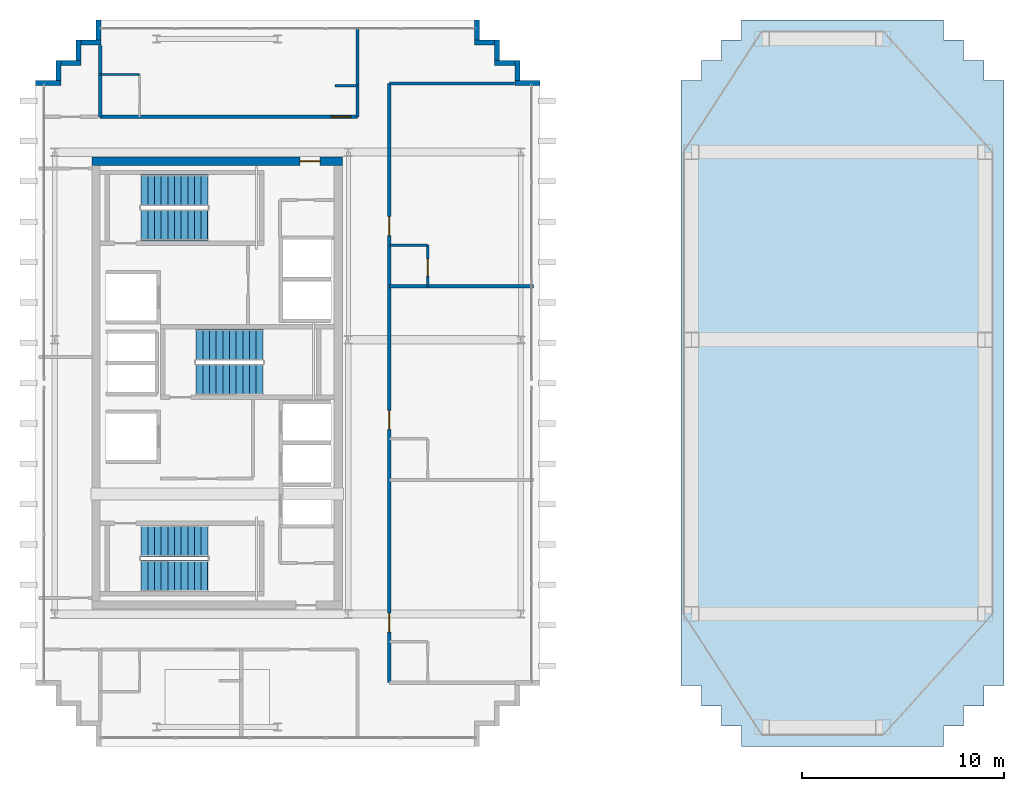
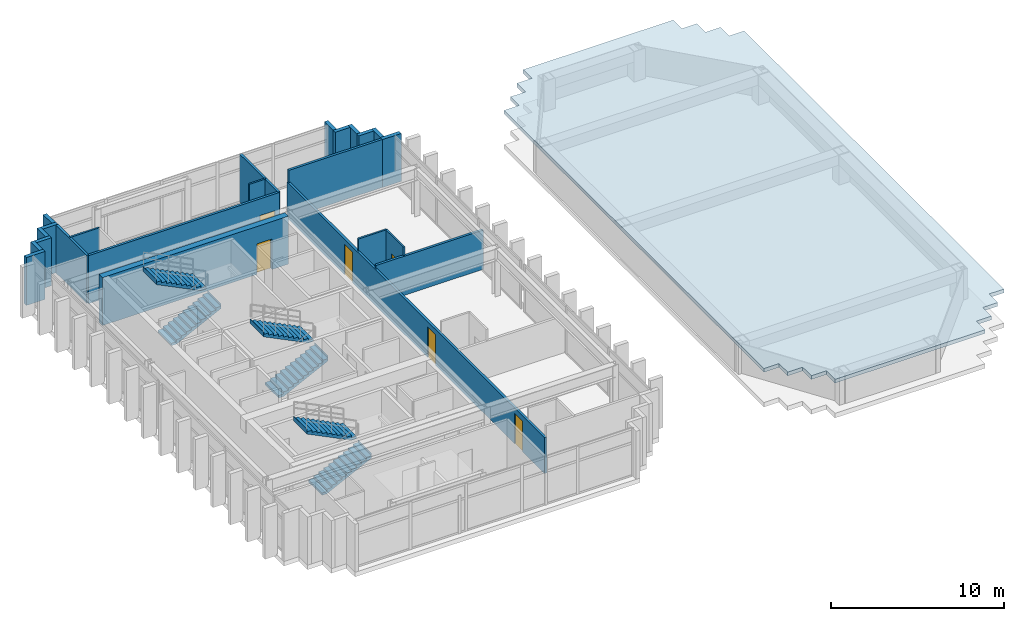
# One storey, part 16 of 17: 23 walls, 6 doors, 6 stair flights, 1 roof, 6 openings, 3 elements without a shape of their own.
"""IFC4 building model written with IfcOpenShell, lengths in metres."""

from ifc_helpers import new_model, si_unit, direction, frame, frame_2d, origin, place, context, subcontext, project, spatial, polyline, rectangle, outline, extrude, source, transform, mapped, material, layer, layer_set, type_object, element, fill, aggregate, save


model = new_model("IFC4")

# Units and contexts
model_context = context("Model", 3, precision=1e-05, world=origin(), true_north=direction((0.0, 1.0)))
body_context = subcontext(model_context, "Body", "Model", "MODEL_VIEW")
ifc_project = project(units=[si_unit("LENGTHUNIT", "METRE"), si_unit("AREAUNIT", "SQUARE_METRE"), si_unit("VOLUMEUNIT", "CUBIC_METRE"), si_unit("PLANEANGLEUNIT", "RADIAN"), si_unit("MASSUNIT", "GRAM", prefix="KILO")], contexts=[model_context])

# Site, building, storey
site_placement = place(None, origin())
site = spatial("IfcSite", under=ifc_project, at=site_placement, CompositionType="ELEMENT")
building_placement = place(site_placement, origin())
building = spatial("IfcBuilding", under=site, at=building_placement, Name="Ocotamira Hotel", CompositionType="ELEMENT")
storey_placement = place(building_placement, frame((0.0, 0.0, 272.39990234375)))
storey = spatial("IfcBuildingStorey", under=building, at=storey_placement, Name="L69", CompositionType="ELEMENT", Elevation=272.39990234375)

# Wall, opening, door
ifc_material_1 = material(Name="Concrete C50/60", Category="concrete")
ifc_layer_1 = layer(ifc_material_1, 0.39990234375)
ifc_layer_set_1 = layer_set([ifc_layer_1], Name="Concrete C50/60")
wall_type_1 = type_object("IfcWallType", Name="WL-CORE-400", PredefinedType="SHEAR", material=ifc_layer_set_1)
wall_1_placement = place(storey_placement, frame((10.800048828125, 37.0, 0.0), z_axis=(0.0, 0.0, 1.0), x_axis=(1.0, 0.0, 0.0)))
wall_1 = element("IfcWall", 1, at=wall_1_placement, inside=storey, type_object=wall_type_1, Name="L69 Shear Core Wall WCORE-N", PredefinedType="SHEAR", context=body_context, shape_type="SweptSolid", body=[
    extrude(rectangle(XDim=12.39990234375, YDim=0.39990234375, at=frame_2d((6.199951171875, 0.0))), origin(), (0.0, 0.0, 1.0), 3.380126953125),
])
opening_1_placement = place(wall_1_placement, frame((10.300048828125, 0.0, 0.0)))
opening_1 = element("IfcOpeningElement", 2, at=opening_1_placement, cuts=wall_1, Name="Opening D-FR2", PredefinedType="OPENING", context=body_context, shape_type="SweptSolid", body=[
    extrude(rectangle(XDim=1.0, YDim=2.14990234375, at=frame_2d((0.5, 1.074951171875))), frame((0.0, 0.2099609375, 0.0), z_axis=(0.0, -1.0, 0.0), x_axis=(1.0, 0.0, 0.0)), (0.0, 0.0, 1.0), 0.419921875),
])
ifc_material_2 = material(Name="Fire-rated acoustic timber-veneer door", Category="wood")
door_type_1 = type_object("IfcDoorType", Name="DR-FIRE-1000", OperationType="NOTDEFINED", PredefinedType="DOOR", material=ifc_material_2)
shared_shape_1 = source(origin(), body_context, "Body", "SweptSolid", [
    extrude(rectangle(XDim=1.0, YDim=2.14990234375, at=frame_2d((0.5, 1.074951171875))), frame((0.0, 0.02490234375, 0.0), z_axis=(0.0, -1.0, 0.0), x_axis=(1.0, 0.0, 0.0)), (0.0, 0.0, 1.0), 0.050048828125),
])
door_1_placement = place(opening_1_placement, origin())
door_1 = element("IfcDoor", 3, at=door_1_placement, inside=storey, type_object=door_type_1, Name="L69 Door ID-L69-WLOB-N-D [ID-L69-WLOB-N-D]", OperationType="SINGLE_SWING_RIGHT", OverallHeight=2.14990234375, OverallWidth=1.0, PredefinedType="DOOR", context=body_context, shape_type="MappedRepresentation", body=[
    mapped(shared_shape_1, transform((0.0, 0.0, 0.0), scale=1.0)),
])
fill(opening_1, door_1)

# Walls
ifc_material_3 = material(Name="Precast concrete C45/55", Category="concrete")
ifc_layer_2 = layer(ifc_material_3, 0.25)
ifc_layer_set_2 = layer_set([ifc_layer_2], Name="Precast concrete C45/55")
wall_type_2 = type_object("IfcWallType", Name="WL-EXT-SER-250", PredefinedType="SOLIDWALL", material=ifc_layer_set_2)
wall_2_placement = place(storey_placement, frame((33.0, 40.875, 0.0), z_axis=(0.0, 0.0, 1.0), x_axis=(-1.0, 0.0, 0.0)))
element("IfcWall", 4, at=wall_2_placement, inside=storey, type_object=wall_type_2, Name="L69 Serrated Corner Wall 07", PredefinedType="SOLIDWALL", context=body_context, shape_type="SweptSolid", body=[
    extrude(rectangle(XDim=1.25, YDim=0.25, at=frame_2d((0.625, 0.0))), origin(), (0.0, 0.0, 1.0), 3.380126953125),
])
for number, where, z_axis, x_axis, name in (
    (5, (31.875, 41.0, 0.0), (0.0, 0.0, 1.0), (0.0, 1.0, 0.0), "L69 Serrated Corner Wall 08"),
    (6, (31.75, 41.875, 0.0), (0.0, 0.0, 1.0), (-1.0, 0.0, 0.0), "L69 Serrated Corner Wall 09"),
    (7, (30.875, 42.0, 0.0), (0.0, 0.0, 1.0), (0.0, 1.0, 0.0), "L69 Serrated Corner Wall 10"),
    (8, (30.75, 42.875, 0.0), (0.0, 0.0, 1.0), (-1.0, 0.0, 0.0), "L69 Serrated Corner Wall 11"),
    (9, (29.875, 43.0, 0.0), (0.0, 0.0, 1.0), (0.0, 1.0, 0.0), "L69 Serrated Corner Wall 12"),
    (10, (11.125, 44.0, 0.0), (0.0, 0.0, 1.0), (0.0, -1.0, 0.0), "L69 Serrated Corner Wall 13"),
    (11, (11.25, 42.875, 0.0), (0.0, 0.0, 1.0), (-1.0, 0.0, 0.0), "L69 Serrated Corner Wall 14"),
    (12, (10.125, 43.0, 0.0), (0.0, 0.0, 1.0), (0.0, -1.0, 0.0), "L69 Serrated Corner Wall 15"),
    (13, (10.25, 41.875, 0.0), (0.0, 0.0, 1.0), (-1.0, 0.0, 0.0), "L69 Serrated Corner Wall 16"),
    (14, (9.125, 42.0, 0.0), (0.0, 0.0, 1.0), (0.0, -1.0, 0.0), "L69 Serrated Corner Wall 17"),
):
    element("IfcWall", number, at=place(storey_placement, frame(where, z_axis=z_axis, x_axis=x_axis)), inside=storey, type_object=wall_type_2, Name=name, PredefinedType="SOLIDWALL", context=body_context, shape_type="SweptSolid", body=[
        extrude(rectangle(XDim=1.0, YDim=0.25, at=frame_2d((0.5, 0.0))), origin(), (0.0, 0.0, 1.0), 3.380126953125),
    ])
wall_3_placement = place(storey_placement, frame((9.25, 40.875, 0.0), z_axis=(0.0, 0.0, 1.0), x_axis=(-1.0, 0.0, 0.0)))
element("IfcWall", 15, at=wall_3_placement, inside=storey, type_object=wall_type_2, Name="L69 Serrated Corner Wall 18", PredefinedType="SOLIDWALL", context=body_context, shape_type="SweptSolid", body=[
    extrude(rectangle(XDim=1.25, YDim=0.25, at=frame_2d((0.625, 0.0))), origin(), (0.0, 0.0, 1.0), 3.380126953125),
])

# Wall, opening, door
ifc_material_4 = material(Name="Acoustic double-layer fire gypsum board partition", Category="gypsum")
ifc_layer_3 = layer(ifc_material_4, 0.159912109375)
ifc_layer_set_3 = layer_set([ifc_layer_3], Name="Acoustic double-layer fire gypsum board partition")
wall_type_3 = type_object("IfcWallType", Name="WL-FIRE-160", PredefinedType="PARTITIONING", material=ifc_layer_set_3)
wall_4_placement = place(storey_placement, frame((11.199951171875, 39.199951171875, 0.0), z_axis=(0.0, 0.0, 1.0), x_axis=(1.0, 0.0, 0.0)))
wall_4 = element("IfcWall", 16, at=wall_4_placement, inside=storey, type_object=wall_type_3, Name="L69 Interior Wall PW-L69-WP0N-CORRW", PredefinedType="PARTITIONING", context=body_context, shape_type="SweptSolid", body=[
    extrude(rectangle(XDim=12.75, YDim=0.159912109375, at=frame_2d((6.375, 0.0))), origin(), (0.0, 0.0, 1.0), 3.380126953125),
])
opening_2_placement = place(wall_4_placement, frame((11.449951171875, 0.0, 0.0)))
opening_2 = element("IfcOpeningElement", 17, at=opening_2_placement, cuts=wall_4, Name="Opening D-GR2", PredefinedType="OPENING", context=body_context, shape_type="SweptSolid", body=[
    extrude(rectangle(XDim=0.97998046875, YDim=2.199951171875, at=frame_2d((0.489990234375, 1.10009765625))), frame((0.0, 0.08984375, 0.0), z_axis=(0.0, -1.0, 0.0), x_axis=(1.0, 0.0, 0.0)), (0.0, 0.0, 1.0), 0.179931640625),
])
ifc_material_5 = material(Name="Solid-core walnut grand-suite entrance fire door", Category="wood")
door_type_2 = type_object("IfcDoorType", Name="DR-GUEST-980", OperationType="NOTDEFINED", PredefinedType="DOOR", material=ifc_material_5)
shared_shape_2 = source(origin(), body_context, "Body", "SweptSolid", [
    extrude(rectangle(XDim=0.97998046875, YDim=2.199951171875, at=frame_2d((0.489990234375, 1.10009765625))), frame((0.0, 0.02490234375, 0.0), z_axis=(0.0, -1.0, 0.0), x_axis=(1.0, 0.0, 0.0)), (0.0, 0.0, 1.0), 0.050048828125),
])
door_2_placement = place(opening_2_placement, origin())
door_2 = element("IfcDoor", 18, at=door_2_placement, inside=storey, type_object=door_type_2, Name="L69 Door ID-L69-WP0N-RMD1 [ID-L69-WP0N-RMD1]", OperationType="SINGLE_SWING_LEFT", OverallHeight=2.199951171875, OverallWidth=0.97998046875, PredefinedType="DOOR", context=body_context, shape_type="MappedRepresentation", body=[
    mapped(shared_shape_2, transform((0.0, 0.0, 0.0), scale=1.0)),
])
fill(opening_2, door_2)

# Wall, openings, doors
wall_5_placement = place(storey_placement, frame((25.530029296875, 11.14990234375, 0.0), z_axis=(0.0, 0.0, 1.0), x_axis=(0.0, 1.0, 0.0)))
wall_5 = element("IfcWall", 19, at=wall_5_placement, inside=storey, type_object=wall_type_3, Name="L69 Interior Wall PW-L69-WP-EASTW-FULL", PredefinedType="PARTITIONING", context=body_context, shape_type="SweptSolid", body=[
    extrude(rectangle(XDim=29.7001953125, YDim=0.159912109375, at=frame_2d((14.85009765625, 0.0))), origin(), (0.0, 0.0, 1.0), 2.524169921875),
])
opening_3_placement = place(wall_5_placement, frame((2.510009765625, 0.0, 0.0)))
opening_3 = element("IfcOpeningElement", 20, at=opening_3_placement, cuts=wall_5, Name="Opening D-GR1", PredefinedType="OPENING", context=body_context, shape_type="SweptSolid", body=[
    extrude(rectangle(XDim=0.93994140625, YDim=2.14990234375, at=frame_2d((0.469970703125, 1.074951171875))), frame((0.0, 0.08984375, 0.0), z_axis=(0.0, -1.0, 0.0), x_axis=(1.0, 0.0, 0.0)), (0.0, 0.0, 1.0), 0.179931640625),
])
opening_4_placement = place(wall_5_placement, frame((12.56005859375, 0.0, 0.0)))
opening_4 = element("IfcOpeningElement", 21, at=opening_4_placement, cuts=wall_5, Name="Opening D-GR1", PredefinedType="OPENING", context=body_context, shape_type="SweptSolid", body=[
    extrude(rectangle(XDim=0.93994140625, YDim=2.14990234375, at=frame_2d((0.469970703125, 1.074951171875))), frame((0.0, 0.08984375, 0.0), z_axis=(0.0, -1.0, 0.0), x_axis=(1.0, 0.0, 0.0)), (0.0, 0.0, 1.0), 0.179931640625),
])
opening_5_placement = place(wall_5_placement, frame((22.159912109375, 0.0, 0.0)))
opening_5 = element("IfcOpeningElement", 22, at=opening_5_placement, cuts=wall_5, Name="Opening D-GR1", PredefinedType="OPENING", context=body_context, shape_type="SweptSolid", body=[
    extrude(rectangle(XDim=0.93994140625, YDim=2.14990234375, at=frame_2d((0.469970703125, 1.074951171875))), frame((0.0, 0.08984375, 0.0), z_axis=(0.0, -1.0, 0.0), x_axis=(1.0, 0.0, 0.0)), (0.0, 0.0, 1.0), 0.179931640625),
])
ifc_material_6 = material(Name="Solid-core walnut suite entrance fire door", Category="wood")
door_type_3 = type_object("IfcDoorType", Name="DR-GUEST-940", OperationType="NOTDEFINED", PredefinedType="DOOR", material=ifc_material_6)
shared_shape_3 = source(origin(), body_context, "Body", "SweptSolid", [
    extrude(rectangle(XDim=0.93994140625, YDim=2.14990234375, at=frame_2d((0.469970703125, 1.074951171875))), frame((0.0, 0.02490234375, 0.0), z_axis=(0.0, -1.0, 0.0), x_axis=(1.0, 0.0, 0.0)), (0.0, 0.0, 1.0), 0.050048828125),
])
door_3_placement = place(opening_3_placement, origin())
door_3 = element("IfcDoor", 23, at=door_3_placement, inside=storey, type_object=door_type_3, Name="L69 Door ID-L69-WP-ERD1 [ID-L69-WP-ERD1]", OperationType="SINGLE_SWING_LEFT", OverallHeight=2.14990234375, OverallWidth=0.93994140625, PredefinedType="DOOR", context=body_context, shape_type="MappedRepresentation", body=[
    mapped(shared_shape_3, transform((0.0, 0.0, 0.0), scale=1.0)),
])
fill(opening_3, door_3)
door_4_placement = place(opening_4_placement, origin())
door_4 = element("IfcDoor", 24, at=door_4_placement, inside=storey, type_object=door_type_3, Name="L69 Door ID-L69-WP-ERD2 [ID-L69-WP-ERD2]", OperationType="SINGLE_SWING_RIGHT", OverallHeight=2.14990234375, OverallWidth=0.93994140625, PredefinedType="DOOR", context=body_context, shape_type="MappedRepresentation", body=[
    mapped(shared_shape_3, transform((0.0, 0.0, 0.0), scale=1.0)),
])
fill(opening_4, door_4)
door_5_placement = place(opening_5_placement, origin())
door_5 = element("IfcDoor", 25, at=door_5_placement, inside=storey, type_object=door_type_3, Name="L69 Door ID-L69-WP-ERD3 [ID-L69-WP-ERD3]", OperationType="SINGLE_SWING_LEFT", OverallHeight=2.14990234375, OverallWidth=0.93994140625, PredefinedType="DOOR", context=body_context, shape_type="MappedRepresentation", body=[
    mapped(shared_shape_3, transform((0.0, 0.0, 0.0), scale=1.0)),
])
fill(opening_5, door_5)

# Walls
ifc_material_7 = material(Name="Moisture-resistant en-suite tile and gypsum partition", Category="gypsum")
ifc_layer_4 = layer(ifc_material_7, 0.1201171875)
ifc_layer_set_4 = layer_set([ifc_layer_4], Name="Moisture-resistant en-suite tile and gypsum partition")
wall_type_4 = type_object("IfcWallType", Name="WL-PART-120", PredefinedType="PARTITIONING", material=ifc_layer_set_4)
wall_6_placement = place(storey_placement, frame((11.199951171875, 41.300048828125, 0.0), z_axis=(0.0, 0.0, 1.0), x_axis=(1.0, 0.0, 0.0)))
element("IfcWall", 26, at=wall_6_placement, inside=storey, type_object=wall_type_4, Name="L69 Interior Wall PW-L69-WP0N-BAN1", PredefinedType="PARTITIONING", context=body_context, shape_type="SweptSolid", body=[
    extrude(rectangle(XDim=1.949951171875, YDim=0.1201171875, at=frame_2d((0.97509765625, 0.0))), origin(), (0.0, 0.0, 1.0), 3.380126953125),
])
wall_7_placement = place(storey_placement, frame((22.85009765625, 40.75, 0.0), z_axis=(0.0, 0.0, 1.0), x_axis=(1.0, 0.0, 0.0)))
element("IfcWall", 27, at=wall_7_placement, inside=storey, type_object=wall_type_4, Name="L69 Interior Wall PW-L69-WP0N-DRN1", PredefinedType="PARTITIONING", context=body_context, shape_type="SweptSolid", body=[
    extrude(rectangle(XDim=1.099853515625, YDim=0.1201171875, at=frame_2d((0.5498046875, 0.0))), origin(), (0.0, 0.0, 1.0), 3.380126953125),
])

# Wall, opening, door
wall_8_placement = place(storey_placement, frame((27.429931640625, 30.800048828125, 0.0), z_axis=(0.0, 0.0, 1.0), x_axis=(0.0, 1.0, 0.0)))
wall_8 = element("IfcWall", 28, at=wall_8_placement, inside=storey, type_object=wall_type_4, Name="L69 Interior Wall PW-L69-WP-EBE3", PredefinedType="PARTITIONING", context=body_context, shape_type="SweptSolid", body=[
    extrude(rectangle(XDim=2.0400390625, YDim=0.1201171875, at=frame_2d((1.02001953125, 0.0))), origin(), (0.0, 0.0, 1.0), 3.380126953125),
])
opening_6_placement = place(wall_8_placement, frame((0.5, 0.0, 0.0)))
opening_6 = element("IfcOpeningElement", 29, at=opening_6_placement, cuts=wall_8, Name="Opening D-BA1", PredefinedType="OPENING", context=body_context, shape_type="SweptSolid", body=[
    extrude(rectangle(XDim=0.860107421875, YDim=2.10009765625, at=frame_2d((0.43017578125, 1.050048828125))), frame((0.0, 0.070068359375, 0.0), z_axis=(0.0, -1.0, 0.0), x_axis=(1.0, 0.0, 0.0)), (0.0, 0.0, 1.0), 0.14013671875),
])
ifc_material_8 = material(Name="Moisture-sealed en-suite timber door", Category="wood")
door_type_4 = type_object("IfcDoorType", Name="DR-BATH-860", OperationType="NOTDEFINED", PredefinedType="DOOR", material=ifc_material_8)
shared_shape_4 = source(origin(), body_context, "Body", "SweptSolid", [
    extrude(rectangle(XDim=0.860107421875, YDim=2.10009765625, at=frame_2d((0.43017578125, 1.050048828125))), frame((0.0, 0.02490234375, 0.0), z_axis=(0.0, -1.0, 0.0), x_axis=(1.0, 0.0, 0.0)), (0.0, 0.0, 1.0), 0.050048828125),
])
door_6_placement = place(opening_6_placement, origin())
door_6 = element("IfcDoor", 30, at=door_6_placement, inside=storey, type_object=door_type_4, Name="L69 Door ID-L69-WP-EBD3 [ID-L69-WP-EBD3]", OperationType="SINGLE_SWING_LEFT", OverallHeight=2.10009765625, OverallWidth=0.860107421875, PredefinedType="DOOR", context=body_context, shape_type="MappedRepresentation", body=[
    mapped(shared_shape_4, transform((0.0, 0.0, 0.0), scale=1.0)),
])
fill(opening_6, door_6)

# Walls
wall_9_placement = place(storey_placement, frame((25.530029296875, 32.840087890625, 0.0), z_axis=(0.0, 0.0, 1.0), x_axis=(1.0, 0.0, 0.0)))
element("IfcWall", 31, at=wall_9_placement, inside=storey, type_object=wall_type_4, Name="L69 Interior Wall PW-L69-WP-EBN3", PredefinedType="PARTITIONING", context=body_context, shape_type="SweptSolid", body=[
    extrude(rectangle(XDim=1.89990234375, YDim=0.1201171875, at=frame_2d((0.949951171875, 0.0))), origin(), (0.0, 0.0, 1.0), 3.380126953125),
])
ifc_material_9 = material(Name="Acoustic double-stud hospitality gypsum partition", Category="gypsum")
ifc_layer_5 = layer(ifc_material_9, 0.159912109375)
ifc_layer_set_5 = layer_set([ifc_layer_5], Name="Acoustic double-stud hospitality gypsum partition")
wall_type_5 = type_object("IfcWallType", Name="WL-PART-160", PredefinedType="PARTITIONING", material=ifc_layer_set_5)
wall_10_placement = place(storey_placement, frame((11.199951171875, 39.199951171875, 0.0), z_axis=(0.0, 0.0, 1.0), x_axis=(0.0, 1.0, 0.0)))
element("IfcWall", 32, at=wall_10_placement, inside=storey, type_object=wall_type_5, Name="L69 Interior Wall PW-L69-WP0N-PW0", PredefinedType="PARTITIONING", context=body_context, shape_type="SweptSolid", body=[
    extrude(rectangle(XDim=3.5400390625, YDim=0.159912109375, at=frame_2d((1.77001953125, 0.0))), origin(), (0.0, 0.0, 1.0), 3.380126953125),
])
wall_11_placement = place(storey_placement, frame((23.949951171875, 39.199951171875, 0.0), z_axis=(0.0, 0.0, 1.0), x_axis=(0.0, 1.0, 0.0)))
element("IfcWall", 33, at=wall_11_placement, inside=storey, type_object=wall_type_5, Name="L69 Interior Wall PW-L69-WP0N-PWEND", PredefinedType="PARTITIONING", context=body_context, shape_type="SweptSolid", body=[
    extrude(rectangle(XDim=4.43994140625, YDim=0.159912109375, at=frame_2d((2.219970703125, 0.0))), origin(), (0.0, 0.0, 1.0), 3.380126953125),
])
wall_12_placement = place(storey_placement, frame((25.530029296875, 40.85009765625, 0.0), z_axis=(0.0, 0.0, 1.0), x_axis=(1.0, 0.0, 0.0)))
element("IfcWall", 34, at=wall_12_placement, inside=storey, type_object=wall_type_5, Name="L69 Interior Wall PW-L69-WP-EDIVN", PredefinedType="PARTITIONING", context=body_context, shape_type="SweptSolid", body=[
    extrude(rectangle(XDim=6.2099609375, YDim=0.159912109375, at=frame_2d((3.10498046875, 0.0))), origin(), (0.0, 0.0, 1.0), 3.380126953125),
])
wall_13_placement = place(storey_placement, frame((25.530029296875, 30.800048828125, 0.0), z_axis=(0.0, 0.0, 1.0), x_axis=(1.0, 0.0, 0.0)))
element("IfcWall", 35, at=wall_13_placement, inside=storey, type_object=wall_type_5, Name="L69 Interior Wall PW-L69-WP-EDIV2", PredefinedType="PARTITIONING", context=body_context, shape_type="SweptSolid", body=[
    extrude(rectangle(XDim=7.14990234375, YDim=0.159912109375, at=frame_2d((3.574951171875, 0.0))), origin(), (0.0, 0.0, 1.0), 2.76318359375),
])

# Stair, stair flights
ifc_material_10 = material(Name="Concrete C40/50", Category="concrete")
stair_type = type_object("IfcStairType", Name="ST-CORE-1560", PredefinedType="HALF_TURN_STAIR", material=ifc_material_10)
stair_1_placement = place(storey_placement, origin())
stair_1 = element("IfcStair", 36, at=stair_1_placement, inside=storey, type_object=stair_type, Name="L69 Exit Stair ST-1", PredefinedType="HALF_TURN_STAIR")
stair_flight_type = type_object("IfcStairFlightType", Name="STF-CORE-1560", PredefinedType="STRAIGHT", material=ifc_material_10)
shared_shape_5 = source(origin(), body_context, "Body", "SweptSolid", [
    extrude(outline(polyline([(-0.00390625, 0.0), (-0.00390625, 0.16357421875), (0.330078125, 0.16357421875), (0.330078125, 0.327392578125), (0.659912109375, 0.327392578125), (0.659912109375, 0.490966796875), (0.989990234375, 0.490966796875), (0.989990234375, 0.654541015625), (1.320068359375, 0.654541015625), (1.320068359375, 0.818115234375), (1.64990234375, 0.818115234375), (1.64990234375, 0.98193359375), (1.97998046875, 0.98193359375), (1.97998046875, 1.1455078125), (2.31005859375, 1.1455078125), (2.31005859375, 1.30908203125), (2.639892578125, 1.30908203125), (2.639892578125, 1.47265625), (2.969970703125, 1.47265625), (2.969970703125, 1.636474609375), (3.300048828125, 1.636474609375), (3.300048828125, 1.800048828125), (3.303955078125, 1.800048828125), (3.303955078125, 1.468994140625), (0.33740234375, 0.0), (-0.00390625, 0.0)])), frame((0.0, 0.780029296875, 0.0), z_axis=(0.0, -1.0, 0.0), x_axis=(1.0, 0.0, 0.0)), (0.0, 0.0, 1.0), 1.56005859375),
])
stair_flight_1_placement = place(storey_placement, frame((13.22998046875, 16.449951171875, 0.0), z_axis=(0.0, 0.0, 1.0), x_axis=(1.0, 0.0, 0.0)))
stair_flight_1 = element("IfcStairFlight", 37, at=stair_flight_1_placement, type_object=stair_flight_type, Name="ST-1 flight 1", NumberOfRisers=11, NumberOfTreads=10, PredefinedType="STRAIGHT", RiserHeight=0.163636364, TreadLength=0.33, context=body_context, shape_type="MappedRepresentation", body=[
    mapped(shared_shape_5, transform((0.0, 0.0, 0.0), scale=1.0)),
])
stair_flight_2_placement = place(storey_placement, frame((16.530029296875, 18.169921875, 1.800048828125), z_axis=(0.0, 0.0, 1.0), x_axis=(-1.0, 0.0, 0.0)))
stair_flight_2 = element("IfcStairFlight", 38, at=stair_flight_2_placement, type_object=stair_flight_type, Name="ST-1 flight 2", NumberOfRisers=11, NumberOfTreads=10, PredefinedType="STRAIGHT", RiserHeight=0.163636364, TreadLength=0.33, context=body_context, shape_type="MappedRepresentation", body=[
    mapped(shared_shape_5, transform((0.0, 0.0, 0.0), scale=1.0)),
])
aggregate(stair_1, [stair_flight_1, stair_flight_2])

stair_2_placement = place(storey_placement, origin())
stair_2 = element("IfcStair", 39, at=stair_2_placement, inside=storey, type_object=stair_type, Name="L69 Exit Stair ST-2", PredefinedType="HALF_TURN_STAIR")
stair_flight_3_placement = place(storey_placement, frame((13.22998046875, 33.830078125, 0.0), z_axis=(0.0, 0.0, 1.0), x_axis=(1.0, 0.0, 0.0)))
stair_flight_3 = element("IfcStairFlight", 40, at=stair_flight_3_placement, type_object=stair_flight_type, Name="ST-2 flight 1", NumberOfRisers=11, NumberOfTreads=10, PredefinedType="STRAIGHT", RiserHeight=0.163636364, TreadLength=0.33, context=body_context, shape_type="MappedRepresentation", body=[
    mapped(shared_shape_5, transform((0.0, 0.0, 0.0), scale=1.0)),
])
stair_flight_4_placement = place(storey_placement, frame((16.530029296875, 35.550048828125, 1.800048828125), z_axis=(0.0, 0.0, 1.0), x_axis=(-1.0, 0.0, 0.0)))
stair_flight_4 = element("IfcStairFlight", 41, at=stair_flight_4_placement, type_object=stair_flight_type, Name="ST-2 flight 2", NumberOfRisers=11, NumberOfTreads=10, PredefinedType="STRAIGHT", RiserHeight=0.163636364, TreadLength=0.33, context=body_context, shape_type="MappedRepresentation", body=[
    mapped(shared_shape_5, transform((0.0, 0.0, 0.0), scale=1.0)),
])
aggregate(stair_2, [stair_flight_3, stair_flight_4])

stair_3_placement = place(storey_placement, origin())
stair_3 = element("IfcStair", 42, at=stair_3_placement, inside=storey, type_object=stair_type, Name="L69 Exit Stair ST-3", PredefinedType="HALF_TURN_STAIR")
stair_flight_5_placement = place(storey_placement, frame((15.9599609375, 26.179931640625, 0.0), z_axis=(0.0, 0.0, 1.0), x_axis=(1.0, 0.0, 0.0)))
stair_flight_5 = element("IfcStairFlight", 43, at=stair_flight_5_placement, type_object=stair_flight_type, Name="ST-3 flight 1", NumberOfRisers=11, NumberOfTreads=10, PredefinedType="STRAIGHT", RiserHeight=0.163636364, TreadLength=0.33, context=body_context, shape_type="MappedRepresentation", body=[
    mapped(shared_shape_5, transform((0.0, 0.0, 0.0), scale=1.0)),
])
stair_flight_6_placement = place(storey_placement, frame((19.260009765625, 27.89990234375, 1.800048828125), z_axis=(0.0, 0.0, 1.0), x_axis=(-1.0, 0.0, 0.0)))
stair_flight_6 = element("IfcStairFlight", 44, at=stair_flight_6_placement, type_object=stair_flight_type, Name="ST-3 flight 2", NumberOfRisers=11, NumberOfTreads=10, PredefinedType="STRAIGHT", RiserHeight=0.163636364, TreadLength=0.33, context=body_context, shape_type="MappedRepresentation", body=[
    mapped(shared_shape_5, transform((0.0, 0.0, 0.0), scale=1.0)),
])
aggregate(stair_3, [stair_flight_5, stair_flight_6])

# Roof
ifc_layer_6 = layer(ifc_material_10, 0.260009765625)
ifc_layer_set_6 = layer_set([ifc_layer_6], Name="Concrete C40/50")
roof_type = type_object("IfcRoofType", Name="ROOF-CAP-260", PredefinedType="FLAT_ROOF", material=ifc_layer_set_6)
roof_placement = place(storey_placement, frame((0.0, 0.0, 2.14013671875)))
element("IfcRoof", 45, at=roof_placement, inside=storey, type_object=roof_type, Name="East Wing Crown Enclosure Roof Cap", PredefinedType="FLAT_ROOF", context=body_context, shape_type="SweptSolid", body=[
    extrude(outline(polyline([(43.0, 8.0), (53.0, 8.0), (53.0, 9.0), (54.0, 9.0), (54.0, 10.0), (55.0, 10.0), (55.0, 11.0), (56.0, 11.0), (56.0, 41.0), (55.0, 41.0), (55.0, 42.0), (54.0, 42.0), (54.0, 43.0), (53.0, 43.0), (53.0, 44.0), (43.0, 44.0), (43.0, 43.0), (42.0, 43.0), (42.0, 42.0), (41.0, 42.0), (41.0, 41.0), (40.0, 41.0), (40.0, 11.0), (41.0, 11.0), (41.0, 10.0), (42.0, 10.0), (42.0, 9.0), (43.0, 9.0), (43.0, 8.0)])), origin(), (0.0, 0.0, 1.0), 0.260009765625),
])

save(model, "model.ifc")
